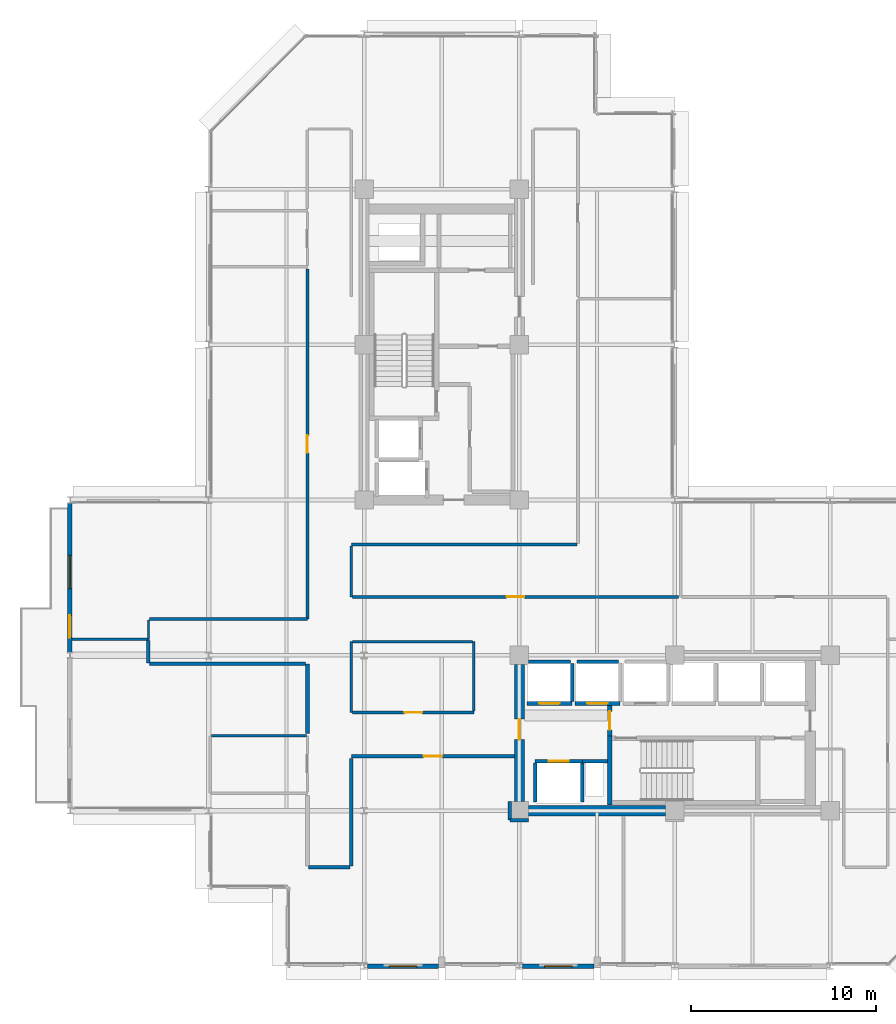
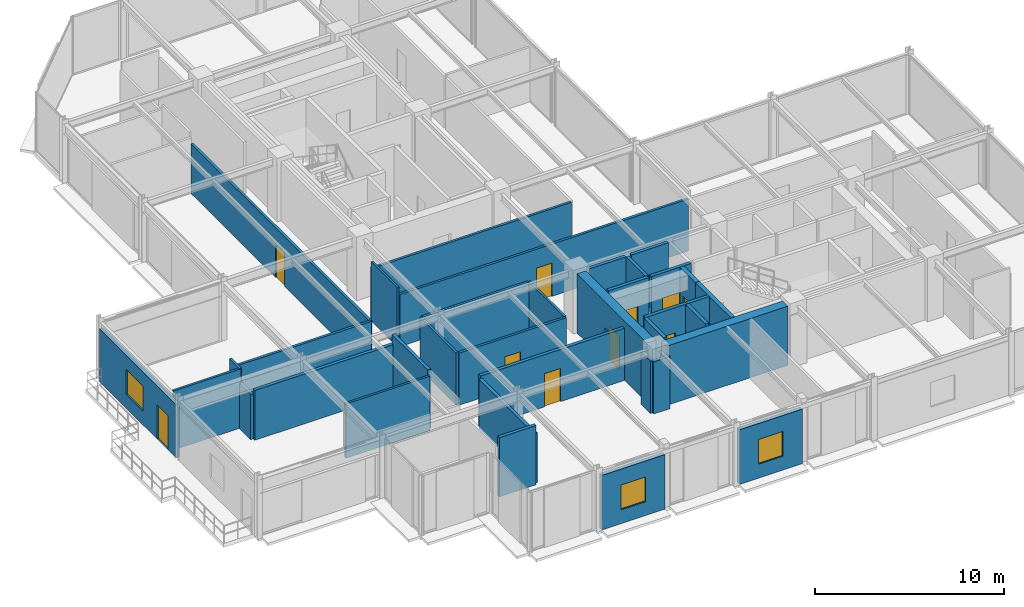
# One storey, part 24 of 29: 36 walls, 10 doors, 3 windows, 13 openings.
"""IFC4 building model written with IfcOpenShell, lengths in metres."""

from ifc_helpers import new_model, si_unit, direction, frame, frame_2d, origin, place, context, subcontext, project, spatial, rectangle, extrude, material, layer, layer_set, type_object, element, fill, save


model = new_model("IFC4")

# Units and contexts
model_context = context("Model", 3, precision=1e-05, world=origin(), true_north=direction((0.0, 1.0)))
body_context = subcontext(model_context, "Body", "Model", "MODEL_VIEW")
ifc_project = project(units=[si_unit("LENGTHUNIT", "METRE"), si_unit("AREAUNIT", "SQUARE_METRE"), si_unit("VOLUMEUNIT", "CUBIC_METRE"), si_unit("PLANEANGLEUNIT", "RADIAN"), si_unit("MASSUNIT", "GRAM", prefix="KILO")], contexts=[model_context])

# Site, building, storey
site_placement = place(None, origin())
site = spatial("IfcSite", under=ifc_project, at=site_placement, CompositionType="ELEMENT")
building_placement = place(site_placement, origin())
building = spatial("IfcBuilding", under=site, at=building_placement, Name="Nerrivon Quay Data Exchange", CompositionType="ELEMENT")
storey_placement = place(building_placement, frame((0.0, 0.0, 204.199951171875)))
storey = spatial("IfcBuildingStorey", under=building, at=storey_placement, Name="L48", CompositionType="ELEMENT", Elevation=204.199951171875)

# Wall, openings, door, window
ifc_material_1 = material(Name="Architectural terracotta precast concrete N50 (50 MPa)", Category="masonry")
ifc_layer_1 = layer(ifc_material_1, 0.239990234375)
ifc_layer_set_1 = layer_set([ifc_layer_1], Name="Architectural terracotta precast concrete N50 (50 MPa)")
wall_type_1 = type_object("IfcWallType", Name="EW-PREC-240", PredefinedType="STANDARD", material=ifc_layer_set_1)
wall_1_placement = place(storey_placement, frame((-7.5, 16.96337890625, 0.0), z_axis=(0.0, 0.0, 1.0), x_axis=(0.0, 1.0, 0.0)))
wall_1 = element("IfcWall", 1, at=wall_1_placement, inside=storey, type_object=wall_type_1, Name="L48 Terrace Host Wall 2", PredefinedType="STANDARD", context=body_context, shape_type="SweptSolid", body=[
    extrude(rectangle(XDim=8.0732421875, YDim=0.239990234375, at=frame_2d((4.03662109375, 0.0))), origin(), (0.0, 0.0, 1.0), 3.422119140625),
])
opening_1_placement = place(wall_1_placement, frame((0.800048828125, 0.0, 0.0)))
opening_1 = element("IfcOpeningElement", 2, at=opening_1_placement, cuts=wall_1, Name="Opening TD1", PredefinedType="OPENING", context=body_context, shape_type="SweptSolid", body=[
    extrude(rectangle(XDim=1.199951171875, YDim=2.199951171875, at=frame_2d((0.60009765625, 1.10009765625))), frame((0.0, 0.1298828125, 0.0), z_axis=(0.0, -1.0, 0.0), x_axis=(1.0, 0.0, 0.0)), (0.0, 0.0, 1.0), 0.260009765625),
])
opening_2_placement = place(wall_1_placement, frame((3.44482421875, 0.0, 0.89990234375)))
opening_2 = element("IfcOpeningElement", 3, at=opening_2_placement, cuts=wall_1, Name="Opening WN2", PredefinedType="OPENING", context=body_context, shape_type="SweptSolid", body=[
    extrude(rectangle(XDim=1.800048828125, YDim=1.60009765625, at=frame_2d((0.89990234375, 0.800048828125))), frame((0.0, 0.1298828125, 0.0), z_axis=(0.0, -1.0, 0.0), x_axis=(1.0, 0.0, 0.0)), (0.0, 0.0, 1.0), 0.260009765625),
])
ifc_material_2 = material(Name="Double-glazed low-E solar control glass", Category="glass")
door_type_1 = type_object("IfcDoorType", Name="DR-TERR-1200x2200", OperationType="NOTDEFINED", PredefinedType="DOOR", material=ifc_material_2)
door_1_placement = place(opening_1_placement, origin())
door_1 = element("IfcDoor", 4, at=door_1_placement, inside=storey, type_object=door_type_1, Name="L48 Outdoor Terrace Access Door 2", OperationType="SINGLE_SWING_LEFT", OverallHeight=2.199951171875, OverallWidth=1.199951171875, PredefinedType="DOOR", context=body_context, shape_type="SweptSolid", body=[
    extrude(rectangle(XDim=1.199951171875, YDim=2.199951171875, at=frame_2d((0.60009765625, 1.10009765625))), frame((0.0, 0.02490234375, 0.0), z_axis=(0.0, -1.0, 0.0), x_axis=(1.0, 0.0, 0.0)), (0.0, 0.0, 1.0), 0.050048828125),
])
fill(opening_1, door_1)
window_type_1 = type_object("IfcWindowType", Name="WIN-W2-1800x1600", PartitioningType="SINGLE_PANEL", PredefinedType="WINDOW", material=ifc_material_2)
window_1_placement = place(opening_2_placement, origin())
window_1 = element("IfcWindow", 5, at=window_1_placement, inside=storey, type_object=window_type_1, Name="L48 Terrace Side Window 2", OverallHeight=1.60009765625, OverallWidth=1.800048828125, PartitioningType="SINGLE_PANEL", PredefinedType="WINDOW", context=body_context, shape_type="SweptSolid", body=[
    extrude(rectangle(XDim=1.800048828125, YDim=1.60009765625, at=frame_2d((0.89990234375, 0.800048828125))), frame((0.0, 0.030029296875, 0.0), z_axis=(0.0, -1.0, 0.0), x_axis=(1.0, 0.0, 0.0)), (0.0, 0.0, 1.0), 0.06005859375),
])
fill(opening_2, window_1)

# Wall, opening, window
wall_2_placement = place(storey_placement, frame((20.824951171875, 0.0, 0.0), z_axis=(0.0, 0.0, 1.0), x_axis=(-1.0, 0.0, 0.0)))
wall_2 = element("IfcWall", 6, at=wall_2_placement, inside=storey, type_object=wall_type_1, Name="L48 Podium Precast Spandrel Wall 25", PredefinedType="STANDARD", context=body_context, shape_type="SweptSolid", body=[
    extrude(rectangle(XDim=3.849853515625, YDim=0.239990234375, at=frame_2d((1.9248046875, 0.0))), origin(), (0.0, 0.0, 1.0), 3.525146484375),
])
opening_3_placement = place(wall_2_placement, frame((1.175048828125, 0.0, 0.89990234375)))
opening_3 = element("IfcOpeningElement", 7, at=opening_3_placement, cuts=wall_2, Name="Opening WN4", PredefinedType="OPENING", context=body_context, shape_type="SweptSolid", body=[
    extrude(rectangle(XDim=1.5, YDim=1.60009765625, at=frame_2d((0.75, 0.800048828125))), frame((0.0, 0.1298828125, 0.0), z_axis=(0.0, -1.0, 0.0), x_axis=(1.0, 0.0, 0.0)), (0.0, 0.0, 1.0), 0.260009765625),
])
window_type_2 = type_object("IfcWindowType", Name="WIN-W4-1500x1600", PartitioningType="SINGLE_PANEL", PredefinedType="WINDOW", material=ifc_material_2)
window_2_placement = place(opening_3_placement, origin())
window_2 = element("IfcWindow", 8, at=window_2_placement, inside=storey, type_object=window_type_2, Name="L48 Solar Facade Window 25", OverallHeight=1.60009765625, OverallWidth=1.5, PartitioningType="SINGLE_PANEL", PredefinedType="WINDOW", context=body_context, shape_type="SweptSolid", body=[
    extrude(rectangle(XDim=1.5, YDim=1.60009765625, at=frame_2d((0.75, 0.800048828125))), frame((0.0, 0.030029296875, 0.0), z_axis=(0.0, -1.0, 0.0), x_axis=(1.0, 0.0, 0.0)), (0.0, 0.0, 1.0), 0.06005859375),
])
fill(opening_3, window_2)

wall_3_placement = place(storey_placement, frame((12.425048828125, 0.0, 0.0), z_axis=(0.0, 0.0, 1.0), x_axis=(-1.0, 0.0, 0.0)))
wall_3 = element("IfcWall", 9, at=wall_3_placement, inside=storey, type_object=wall_type_1, Name="L48 Podium Precast Spandrel Wall 27", PredefinedType="STANDARD", context=body_context, shape_type="SweptSolid", body=[
    extrude(rectangle(XDim=3.85009765625, YDim=0.239990234375, at=frame_2d((1.925048828125, 0.0))), origin(), (0.0, 0.0, 1.0), 3.525146484375),
])
opening_4_placement = place(wall_3_placement, frame((1.175048828125, 0.0, 0.89990234375)))
opening_4 = element("IfcOpeningElement", 10, at=opening_4_placement, cuts=wall_3, Name="Opening WN4", PredefinedType="OPENING", context=body_context, shape_type="SweptSolid", body=[
    extrude(rectangle(XDim=1.5, YDim=1.60009765625, at=frame_2d((0.75, 0.800048828125))), frame((0.0, 0.1298828125, 0.0), z_axis=(0.0, -1.0, 0.0), x_axis=(1.0, 0.0, 0.0)), (0.0, 0.0, 1.0), 0.260009765625),
])
window_3_placement = place(opening_4_placement, origin())
window_3 = element("IfcWindow", 11, at=window_3_placement, inside=storey, type_object=window_type_2, Name="L48 Solar Facade Window 27", OverallHeight=1.60009765625, OverallWidth=1.5, PartitioningType="SINGLE_PANEL", PredefinedType="WINDOW", context=body_context, shape_type="SweptSolid", body=[
    extrude(rectangle(XDim=1.5, YDim=1.60009765625, at=frame_2d((0.75, 0.800048828125))), frame((0.0, 0.030029296875, 0.0), z_axis=(0.0, -1.0, 0.0), x_axis=(1.0, 0.0, 0.0)), (0.0, 0.0, 1.0), 0.06005859375),
])
fill(opening_4, window_3)

# Wall
ifc_material_3 = material(Name="Concrete S65 (65 MPa)", Category="concrete")
ifc_layer_2 = layer(ifc_material_3, 0.550048828125)
ifc_layer_set_2 = layer_set([ifc_layer_2], Name="Concrete S65 (65 MPa)")
wall_type_2 = type_object("IfcWallType", Name="WALL-CW-700", PredefinedType="SHEAR", material=ifc_layer_set_2)
wall_4_placement = place(storey_placement, frame((17.300048828125, 8.39990234375, 0.0), z_axis=(0.0, 0.0, 1.0), x_axis=(1.0, 0.0, 0.0)))
element("IfcWall", 12, at=wall_4_placement, inside=storey, type_object=wall_type_2, Name="L48 East Split-Core Shear Wall ECW-S1", PredefinedType="SHEAR", context=body_context, shape_type="SweptSolid", body=[
    extrude(rectangle(XDim=7.39990234375, YDim=0.550048828125, at=frame_2d((3.699951171875, 0.0))), origin(), (0.0, 0.0, 1.0), 3.824951171875),
])

# Wall, opening, door
wall_5_placement = place(storey_placement, frame((16.800048828125, 8.89990234375, 0.0), z_axis=(0.0, 0.0, 1.0), x_axis=(0.0, 1.0, 0.0)))
wall_5 = element("IfcWall", 13, at=wall_5_placement, inside=storey, type_object=wall_type_2, Name="L48 East Split-Core Shear Wall ECW-W1", PredefinedType="SHEAR", context=body_context, shape_type="SweptSolid", body=[
    extrude(rectangle(XDim=7.400146484375, YDim=0.550048828125, at=frame_2d((3.7001953125, 0.0))), origin(), (0.0, 0.0, 1.0), 3.824951171875),
])
opening_5_placement = place(wall_5_placement, frame((3.35009765625, 0.0, 0.0)))
opening_5 = element("IfcOpeningElement", 14, at=opening_5_placement, cuts=wall_5, Name="Opening FD-120", PredefinedType="OPENING", context=body_context, shape_type="SweptSolid", body=[
    extrude(rectangle(XDim=1.10009765625, YDim=2.14990234375, at=frame_2d((0.550048828125, 1.074951171875))), frame((0.0, 0.284912109375, 0.0), z_axis=(0.0, -1.0, 0.0), x_axis=(1.0, 0.0, 0.0)), (0.0, 0.0, 1.0), 0.570068359375),
])
ifc_material_4 = material(Name="Powder-coated galvanized steel sheet", Category="steel")
door_type_2 = type_object("IfcDoorType", Name="DR-FD120-1100", OperationType="NOTDEFINED", PredefinedType="DOOR", material=ifc_material_4)
door_2_placement = place(opening_5_placement, origin())
door_2 = element("IfcDoor", 15, at=door_2_placement, inside=storey, type_object=door_type_2, Name="L48 East Core Lobby Fire Door", OperationType="SINGLE_SWING_RIGHT", OverallHeight=2.14990234375, OverallWidth=1.10009765625, PredefinedType="DOOR", context=body_context, shape_type="SweptSolid", body=[
    extrude(rectangle(XDim=1.10009765625, YDim=2.14990234375, at=frame_2d((0.550048828125, 1.074951171875))), frame((0.0, 0.02490234375, 0.0), z_axis=(0.0, -1.0, 0.0), x_axis=(1.0, 0.0, 0.0)), (0.0, 0.0, 1.0), 0.050048828125),
])
fill(opening_5, door_2)

# Wall
ifc_material_5 = material(Name="Gypsum plasterboard on cold-formed framing", Category="gypsum")
ifc_layer_3 = layer(ifc_material_5, 0.199951171875)
ifc_layer_set_3 = layer_set([ifc_layer_3], Name="Gypsum plasterboard on cold-formed framing")
wall_type_3 = type_object("IfcWallType", Name="WALL-FW-200", PredefinedType="PARTITIONING", material=ifc_layer_set_3)
wall_6_placement = place(storey_placement, frame((20.199951171875, 11.080078125, 0.0), z_axis=(0.0, 0.0, 1.0), x_axis=(1.0, 0.0, 0.0)))
element("IfcWall", 16, at=wall_6_placement, inside=storey, type_object=wall_type_3, Name="L48 East Core MEP Riser Shaft Wall N", PredefinedType="PARTITIONING", context=body_context, shape_type="SweptSolid", body=[
    extrude(rectangle(XDim=1.35009765625, YDim=0.199951171875, at=frame_2d((0.675048828125, 0.0))), origin(), (0.0, 0.0, 1.0), 3.824951171875),
])

# Wall, opening, door
wall_7_placement = place(storey_placement, frame((17.64990234375, 11.080078125, 0.0), z_axis=(0.0, 0.0, 1.0), x_axis=(1.0, 0.0, 0.0)))
wall_7 = element("IfcWall", 17, at=wall_7_placement, inside=storey, type_object=wall_type_3, Name="L48 Lift Front Wall FFL-2", PredefinedType="PARTITIONING", context=body_context, shape_type="SweptSolid", body=[
    extrude(rectangle(XDim=2.550048828125, YDim=0.199951171875, at=frame_2d((1.27490234375, 0.0))), origin(), (0.0, 0.0, 1.0), 3.824951171875),
])
opening_6_placement = place(wall_7_placement, frame((0.72509765625, 0.0, 0.0)))
opening_6 = element("IfcOpeningElement", 18, at=opening_6_placement, cuts=wall_7, Name="Opening LD-120", PredefinedType="OPENING", context=body_context, shape_type="SweptSolid", body=[
    extrude(rectangle(XDim=1.10009765625, YDim=2.199951171875, at=frame_2d((0.550048828125, 1.10009765625))), frame((0.0, 0.10986328125, 0.0), z_axis=(0.0, -1.0, 0.0), x_axis=(1.0, 0.0, 0.0)), (0.0, 0.0, 1.0), 0.219970703125),
])
door_type_3 = type_object("IfcDoorType", Name="DR-LIFT-LD120", OperationType="DOUBLE_DOOR_SLIDING", PredefinedType="DOOR", material=ifc_material_4)
door_3_placement = place(opening_6_placement, origin())
door_3 = element("IfcDoor", 19, at=door_3_placement, inside=storey, type_object=door_type_3, Name="L48 Lift Landing Sliding Door FFL-2", OperationType="DOUBLE_DOOR_SLIDING", OverallHeight=2.199951171875, OverallWidth=1.10009765625, PredefinedType="DOOR", context=body_context, shape_type="SweptSolid", body=[
    extrude(rectangle(XDim=1.10009765625, YDim=2.199951171875, at=frame_2d((0.550048828125, 1.10009765625))), frame((0.0, 0.02490234375, 0.0), z_axis=(0.0, -1.0, 0.0), x_axis=(1.0, 0.0, 0.0)), (0.0, 0.0, 1.0), 0.050048828125),
])
fill(opening_6, door_3)

# Walls
for number, where, z_axis, x_axis, name in (
    (20, (20.199951171875, 8.8798828125, 0.0), (0.0, 0.0, 1.0), (0.0, 1.0, 0.0), "L48 Lift Shaft Wall FFL-2 EAST"),
    (21, (17.64990234375, 8.8798828125, 0.0), (0.0, 0.0, 1.0), (0.0, 1.0, 0.0), "L48 Lift Shaft Wall FFL-2 WEST"),
):
    element("IfcWall", number, at=place(storey_placement, frame(where, z_axis=z_axis, x_axis=x_axis)), inside=storey, type_object=wall_type_3, Name=name, PredefinedType="PARTITIONING", context=body_context, shape_type="SweptSolid", body=[
        extrude(rectangle(XDim=2.10009765625, YDim=0.199951171875, at=frame_2d((1.050048828125, 0.0))), origin(), (0.0, 0.0, 1.0), 3.824951171875),
    ])

# Wall, opening, door
wall_8_placement = place(storey_placement, frame((17.199951171875, 14.199951171875, 0.0), z_axis=(0.0, 0.0, 1.0), x_axis=(1.0, 0.0, 0.0)))
wall_8 = element("IfcWall", 22, at=wall_8_placement, inside=storey, type_object=wall_type_3, Name="L48 Lift Front Wall PL4", PredefinedType="PARTITIONING", context=body_context, shape_type="SweptSolid", body=[
    extrude(rectangle(XDim=2.449951171875, YDim=0.199951171875, at=frame_2d((1.22509765625, 0.0))), origin(), (0.0, 0.0, 1.0), 3.824951171875),
])
opening_7_placement = place(wall_8_placement, frame((0.675048828125, 0.0, 0.0)))
opening_7 = element("IfcOpeningElement", 23, at=opening_7_placement, cuts=wall_8, Name="Opening LD-120", PredefinedType="OPENING", context=body_context, shape_type="SweptSolid", body=[
    extrude(rectangle(XDim=1.10009765625, YDim=2.199951171875, at=frame_2d((0.550048828125, 1.10009765625))), frame((0.0, 0.10986328125, 0.0), z_axis=(0.0, -1.0, 0.0), x_axis=(1.0, 0.0, 0.0)), (0.0, 0.0, 1.0), 0.219970703125),
])
door_4_placement = place(opening_7_placement, origin())
door_4 = element("IfcDoor", 24, at=door_4_placement, inside=storey, type_object=door_type_3, Name="L48 Lift Landing Sliding Door PL4", OperationType="DOUBLE_DOOR_SLIDING", OverallHeight=2.199951171875, OverallWidth=1.10009765625, PredefinedType="DOOR", context=body_context, shape_type="SweptSolid", body=[
    extrude(rectangle(XDim=1.10009765625, YDim=2.199951171875, at=frame_2d((0.550048828125, 1.10009765625))), frame((0.0, 0.02490234375, 0.0), z_axis=(0.0, -1.0, 0.0), x_axis=(1.0, 0.0, 0.0)), (0.0, 0.0, 1.0), 0.050048828125),
])
fill(opening_7, door_4)

# Walls
wall_9_placement = place(storey_placement, frame((19.64990234375, 14.300048828125, 0.0), z_axis=(0.0, 0.0, 1.0), x_axis=(0.0, 1.0, 0.0)))
element("IfcWall", 25, at=wall_9_placement, inside=storey, type_object=wall_type_3, Name="L48 Lift Shaft Wall PL4 EAST", PredefinedType="PARTITIONING", context=body_context, shape_type="SweptSolid", body=[
    extrude(rectangle(XDim=2.050048828125, YDim=0.199951171875, at=frame_2d((1.02490234375, 0.0))), origin(), (0.0, 0.0, 1.0), 3.824951171875),
])
wall_10_placement = place(storey_placement, frame((17.300048828125, 16.449951171875, 0.0), z_axis=(0.0, 0.0, 1.0), x_axis=(1.0, 0.0, 0.0)))
element("IfcWall", 26, at=wall_10_placement, inside=storey, type_object=wall_type_3, Name="L48 Lift Shaft Wall PL4 NORTH", PredefinedType="PARTITIONING", context=body_context, shape_type="SweptSolid", body=[
    extrude(rectangle(XDim=2.25, YDim=0.199951171875, at=frame_2d((1.125, 0.0))), origin(), (0.0, 0.0, 1.0), 3.824951171875),
])

# Wall, opening, door
wall_11_placement = place(storey_placement, frame((19.800048828125, 14.199951171875, 0.0), z_axis=(0.0, 0.0, 1.0), x_axis=(1.0, 0.0, 0.0)))
wall_11 = element("IfcWall", 27, at=wall_11_placement, inside=storey, type_object=wall_type_3, Name="L48 Lift Front Wall PL5", PredefinedType="PARTITIONING", context=body_context, shape_type="SweptSolid", body=[
    extrude(rectangle(XDim=2.449951171875, YDim=0.199951171875, at=frame_2d((1.22509765625, 0.0))), origin(), (0.0, 0.0, 1.0), 3.824951171875),
])
opening_8_placement = place(wall_11_placement, frame((0.675048828125, 0.0, 0.0)))
opening_8 = element("IfcOpeningElement", 28, at=opening_8_placement, cuts=wall_11, Name="Opening LD-120", PredefinedType="OPENING", context=body_context, shape_type="SweptSolid", body=[
    extrude(rectangle(XDim=1.10009765625, YDim=2.199951171875, at=frame_2d((0.550048828125, 1.10009765625))), frame((0.0, 0.10986328125, 0.0), z_axis=(0.0, -1.0, 0.0), x_axis=(1.0, 0.0, 0.0)), (0.0, 0.0, 1.0), 0.219970703125),
])
door_5_placement = place(opening_8_placement, origin())
door_5 = element("IfcDoor", 29, at=door_5_placement, inside=storey, type_object=door_type_3, Name="L48 Lift Landing Sliding Door PL5", OperationType="DOUBLE_DOOR_SLIDING", OverallHeight=2.199951171875, OverallWidth=1.10009765625, PredefinedType="DOOR", context=body_context, shape_type="SweptSolid", body=[
    extrude(rectangle(XDim=1.10009765625, YDim=2.199951171875, at=frame_2d((0.550048828125, 1.10009765625))), frame((0.0, 0.02490234375, 0.0), z_axis=(0.0, -1.0, 0.0), x_axis=(1.0, 0.0, 0.0)), (0.0, 0.0, 1.0), 0.050048828125),
])
fill(opening_8, door_5)

# Walls
wall_12_placement = place(storey_placement, frame((19.89990234375, 16.449951171875, 0.0), z_axis=(0.0, 0.0, 1.0), x_axis=(1.0, 0.0, 0.0)))
element("IfcWall", 30, at=wall_12_placement, inside=storey, type_object=wall_type_3, Name="L48 Lift Shaft Wall PL5 NORTH", PredefinedType="PARTITIONING", context=body_context, shape_type="SweptSolid", body=[
    extrude(rectangle(XDim=2.25, YDim=0.199951171875, at=frame_2d((1.125, 0.0))), origin(), (0.0, 0.0, 1.0), 3.824951171875),
])
wall_13_placement = place(storey_placement, frame((-3.260009765625, 16.39990234375, 0.0), z_axis=(0.0, 0.0, 1.0), x_axis=(0.0, 1.0, 0.0)))
element("IfcWall", 31, at=wall_13_placement, inside=storey, type_object=wall_type_3, Name="L48 Partition Colocation Data Workspace 1", PredefinedType="PARTITIONING", context=body_context, shape_type="SweptSolid", body=[
    extrude(rectangle(XDim=1.198486328125, YDim=0.199951171875, at=frame_2d((0.59912109375, 0.0))), origin(), (0.0, 0.0, 1.0), 2.9150390625),
])
wall_14_placement = place(storey_placement, frame((17.303955078125, 7.88037109375, 0.0), z_axis=(0.0, 0.0, 1.0), x_axis=(-0.999999881717, -0.000486381265, 0.0)))
element("IfcWall", 32, at=wall_14_placement, inside=storey, type_object=wall_type_3, Name="L48 Partition Colocation Data Workspace 1", PredefinedType="PARTITIONING", context=body_context, shape_type="SweptSolid", body=[
    extrude(rectangle(XDim=1.00390625, YDim=0.199951171875, at=frame_2d((0.501953125, 0.0))), origin(), (0.0, 0.0, 1.0), 3.37109375),
])
wall_15_placement = place(storey_placement, frame((16.280029296875, 7.89990234375, 0.0), z_axis=(0.0, 0.0, 1.0), x_axis=(0.000486381265, 0.999999881717, 0.0)))
element("IfcWall", 33, at=wall_15_placement, inside=storey, type_object=wall_type_3, Name="L48 Partition Colocation Data Workspace 1", PredefinedType="PARTITIONING", context=body_context, shape_type="SweptSolid", body=[
    extrude(rectangle(XDim=1.00390625, YDim=0.199951171875, at=frame_2d((0.501953125, 0.0))), origin(), (0.0, 0.0, 1.0), 3.364990234375),
])

# Wall, opening, door
wall_16_placement = place(storey_placement, frame((16.52099609375, 11.340087890625, 0.0), z_axis=(0.0, 0.0, 1.0), x_axis=(-1.0, 0.0, 0.0)))
wall_16 = element("IfcWall", 34, at=wall_16_placement, inside=storey, type_object=wall_type_3, Name="L48 Partition Colocation Data Workspace 1", PredefinedType="PARTITIONING", context=body_context, shape_type="SweptSolid", body=[
    extrude(rectangle(XDim=8.81103515625, YDim=0.199951171875, at=frame_2d((4.405517578125, 0.0))), origin(), (0.0, 0.0, 1.0), 3.37109375),
])
opening_9_placement = place(wall_16_placement, frame((3.905517578125, 0.0, 0.0)))
opening_9 = element("IfcOpeningElement", 35, at=opening_9_placement, cuts=wall_16, Name="Opening FD-60", PredefinedType="OPENING", context=body_context, shape_type="SweptSolid", body=[
    extrude(rectangle(XDim=1.0, YDim=2.14990234375, at=frame_2d((0.5, 1.074951171875))), frame((0.0, 0.10986328125, 0.0), z_axis=(0.0, -1.0, 0.0), x_axis=(1.0, 0.0, 0.0)), (0.0, 0.0, 1.0), 0.219970703125),
])
ifc_material_6 = material(Name="Engineered hardwood timber", Category="wood")
door_type_4 = type_object("IfcDoorType", Name="DR-FD60-1000", OperationType="NOTDEFINED", PredefinedType="DOOR", material=ifc_material_6)
door_6_placement = place(opening_9_placement, origin())
door_6 = element("IfcDoor", 36, at=door_6_placement, inside=storey, type_object=door_type_4, Name="L48 Door Colocation Data Workspace 1", OperationType="SINGLE_SWING_RIGHT", OverallHeight=2.14990234375, OverallWidth=1.0, PredefinedType="DOOR", context=body_context, shape_type="SweptSolid", body=[
    extrude(rectangle(XDim=1.0, YDim=2.14990234375, at=frame_2d((0.5, 1.074951171875))), frame((0.0, 0.02490234375, 0.0), z_axis=(0.0, -1.0, 0.0), x_axis=(1.0, 0.0, 0.0)), (0.0, 0.0, 1.0), 0.050048828125),
])
fill(opening_9, door_6)

# Walls
wall_17_placement = place(storey_placement, frame((7.7099609375, 11.236083984375, 0.0), z_axis=(0.0, 0.0, 1.0), x_axis=(0.0, -1.0, 0.0)))
element("IfcWall", 37, at=wall_17_placement, inside=storey, type_object=wall_type_3, Name="L48 Partition Colocation Data Workspace 1", PredefinedType="PARTITIONING", context=body_context, shape_type="SweptSolid", body=[
    extrude(rectangle(XDim=5.836181640625, YDim=0.199951171875, at=frame_2d((2.91796875, 0.0))), origin(), (0.0, 0.0, 1.0), 3.213134765625),
])
wall_18_placement = place(storey_placement, frame((7.64990234375, 5.340087890625, 0.0), z_axis=(0.0, 0.0, 1.0), x_axis=(-1.0, 0.0, 0.0)))
element("IfcWall", 38, at=wall_18_placement, inside=storey, type_object=wall_type_3, Name="L48 Partition Colocation Data Workspace 1", PredefinedType="PARTITIONING", context=body_context, shape_type="SweptSolid", body=[
    extrude(rectangle(XDim=2.25, YDim=0.199951171875, at=frame_2d((1.125, 0.0))), origin(), (0.0, 0.0, 1.0), 3.824951171875),
])
wall_19_placement = place(storey_placement, frame((5.340087890625, 12.570068359375, 0.0), z_axis=(0.0, 0.0, 1.0), x_axis=(0.0, 1.0, 0.0)))
element("IfcWall", 39, at=wall_19_placement, inside=storey, type_object=wall_type_3, Name="L48 Partition Colocation Data Workspace 1", PredefinedType="PARTITIONING", context=body_context, shape_type="SweptSolid", body=[
    extrude(rectangle(XDim=3.77001953125, YDim=0.199951171875, at=frame_2d((1.885009765625, 0.0))), origin(), (0.0, 0.0, 1.0), 3.824951171875),
])
wall_20_placement = place(storey_placement, frame((5.236083984375, 16.340087890625, 0.0), z_axis=(0.0, 0.0, 1.0), x_axis=(-1.0, 0.0, 0.0)))
element("IfcWall", 40, at=wall_20_placement, inside=storey, type_object=wall_type_3, Name="L48 Partition Colocation Data Workspace 1", PredefinedType="PARTITIONING", context=body_context, shape_type="SweptSolid", body=[
    extrude(rectangle(XDim=8.43603515625, YDim=0.199951171875, at=frame_2d((4.218017578125, 0.0))), origin(), (0.0, 0.0, 1.0), 3.22314453125),
])
ifc_layer_4 = layer(ifc_material_5, 0.1201171875)
ifc_layer_set_4 = layer_set([ifc_layer_4], Name="Gypsum plasterboard on cold-formed framing")
wall_type_4 = type_object("IfcWallType", Name="WALL-PT-120", PredefinedType="PARTITIONING", material=ifc_layer_set_4)
wall_21_placement = place(storey_placement, frame((7.7099609375, 22.7109375, 0.0), z_axis=(0.0, 0.0, 1.0), x_axis=(0.0, -1.0, 0.0)))
element("IfcWall", 41, at=wall_21_placement, inside=storey, type_object=wall_type_4, Name="L48 Partition Staff Tea Pantry", PredefinedType="PARTITIONING", context=body_context, shape_type="SweptSolid", body=[
    extrude(rectangle(XDim=2.7509765625, YDim=0.1201171875, at=frame_2d((1.37548828125, 0.0))), origin(), (0.0, 0.0, 1.0), 3.824951171875),
])
wall_22_placement = place(storey_placement, frame((-3.260009765625, 17.669921875, 0.0), z_axis=(0.0, 0.0, 1.0), x_axis=(0.000235682294, 0.999999972227, 0.0)))
element("IfcWall", 42, at=wall_22_placement, inside=storey, type_object=wall_type_4, Name="L48 Partition Network Security Control", PredefinedType="PARTITIONING", context=body_context, shape_type="SweptSolid", body=[
    extrude(rectangle(XDim=1.035888671875, YDim=0.1201171875, at=frame_2d((0.51806640625, 0.0))), origin(), (0.0, 0.0, 1.0), 3.824951171875),
])
ifc_layer_5 = layer(ifc_material_5, 0.135009765625)
ifc_layer_set_5 = layer_set([ifc_layer_5], Name="Gypsum plasterboard on cold-formed framing")
wall_type_5 = type_object("IfcWallType", Name="WALL-PT-135", PredefinedType="PARTITIONING", material=ifc_layer_set_5)
wall_23_placement = place(storey_placement, frame((5.27587890625, 12.449951171875, 0.0), z_axis=(0.0, 0.0, 1.0), x_axis=(-1.0, 0.0, 0.0)))
element("IfcWall", 43, at=wall_23_placement, inside=storey, type_object=wall_type_5, Name="L48 Partition Public Washrooms", PredefinedType="PARTITIONING", context=body_context, shape_type="SweptSolid", body=[
    extrude(rectangle(XDim=5.1318359375, YDim=0.135009765625, at=frame_2d((2.56591796875, 0.0))), origin(), (0.0, 0.0, 1.0), 3.51806640625),
])
wall_24_placement = place(storey_placement, frame((7.7099609375, 17.5400390625, 0.0), z_axis=(0.0, 0.0, 1.0), x_axis=(0.0, -1.0, 0.0)))
element("IfcWall", 44, at=wall_24_placement, inside=storey, type_object=wall_type_5, Name="L48 Partition Staff Pantry", PredefinedType="PARTITIONING", context=body_context, shape_type="SweptSolid", body=[
    extrude(rectangle(XDim=3.830078125, YDim=0.135009765625, at=frame_2d((1.9150390625, 0.0))), origin(), (0.0, 0.0, 1.0), 3.364990234375),
])
wall_25_placement = place(storey_placement, frame((14.340087890625, 13.7890625, 0.0), z_axis=(0.0, 0.0, 1.0), x_axis=(0.0, 1.0, 0.0)))
element("IfcWall", 45, at=wall_25_placement, inside=storey, type_object=wall_type_5, Name="L48 Partition Staff Pantry", PredefinedType="PARTITIONING", context=body_context, shape_type="SweptSolid", body=[
    extrude(rectangle(XDim=3.7509765625, YDim=0.135009765625, at=frame_2d((1.87548828125, 0.0))), origin(), (0.0, 0.0, 1.0), 3.364990234375),
])
wall_26_placement = place(storey_placement, frame((-7.3759765625, 17.669921875, 0.0), z_axis=(0.0, 0.0, 1.0), x_axis=(1.0, 0.0, 0.0)))
element("IfcWall", 46, at=wall_26_placement, inside=storey, type_object=wall_type_5, Name="L48 Partition Network Security Control", PredefinedType="PARTITIONING", context=body_context, shape_type="SweptSolid", body=[
    extrude(rectangle(XDim=4.115966796875, YDim=0.135009765625, at=frame_2d((2.05810546875, 0.0))), origin(), (0.0, 0.0, 1.0), 3.824951171875),
])

# Wall, opening, door
ifc_layer_6 = layer(ifc_material_5, 0.14990234375)
ifc_layer_set_6 = layer_set([ifc_layer_6], Name="Gypsum plasterboard on cold-formed framing")
wall_type_6 = type_object("IfcWallType", Name="WALL-PT-150", PredefinedType="PARTITIONING", material=ifc_layer_set_6)
wall_27_placement = place(storey_placement, frame((7.781494140625, 13.7099609375, 0.0), z_axis=(0.0, 0.0, 1.0), x_axis=(1.0, 0.0, 0.0)))
wall_27 = element("IfcWall", 47, at=wall_27_placement, inside=storey, type_object=wall_type_6, Name="L48 Partition Staff Pantry", PredefinedType="PARTITIONING", context=body_context, shape_type="SweptSolid", body=[
    extrude(rectangle(XDim=6.55859375, YDim=0.14990234375, at=frame_2d((3.279296875, 0.0))), origin(), (0.0, 0.0, 1.0), 3.37109375),
])
opening_10_placement = place(wall_27_placement, frame((2.80419921875, 0.0, 0.0)))
opening_10 = element("IfcOpeningElement", 48, at=opening_10_placement, cuts=wall_27, Name="Opening D-01", PredefinedType="OPENING", context=body_context, shape_type="SweptSolid", body=[
    extrude(rectangle(XDim=0.949951171875, YDim=2.14990234375, at=frame_2d((0.47509765625, 1.074951171875))), frame((0.0, 0.0849609375, 0.0), z_axis=(0.0, -1.0, 0.0), x_axis=(1.0, 0.0, 0.0)), (0.0, 0.0, 1.0), 0.169921875),
])
door_type_5 = type_object("IfcDoorType", Name="DR-INT-950", OperationType="NOTDEFINED", PredefinedType="DOOR", material=ifc_material_6)
door_7_placement = place(opening_10_placement, origin())
door_7 = element("IfcDoor", 49, at=door_7_placement, inside=storey, type_object=door_type_5, Name="L48 Door Staff Pantry", OperationType="SINGLE_SWING_RIGHT", OverallHeight=2.14990234375, OverallWidth=0.949951171875, PredefinedType="DOOR", context=body_context, shape_type="SweptSolid", body=[
    extrude(rectangle(XDim=0.949951171875, YDim=2.14990234375, at=frame_2d((0.47509765625, 1.074951171875))), frame((0.0, 0.02490234375, 0.0), z_axis=(0.0, -1.0, 0.0), x_axis=(1.0, 0.0, 0.0)), (0.0, 0.0, 1.0), 0.050048828125),
])
fill(opening_10, door_7)

# Walls
wall_28_placement = place(storey_placement, frame((14.2685546875, 17.5400390625, 0.0), z_axis=(0.0, 0.0, 1.0), x_axis=(-1.0, 0.0, 0.0)))
element("IfcWall", 50, at=wall_28_placement, inside=storey, type_object=wall_type_6, Name="L48 Partition Staff Pantry", PredefinedType="PARTITIONING", context=body_context, shape_type="SweptSolid", body=[
    extrude(rectangle(XDim=6.487060546875, YDim=0.14990234375, at=frame_2d((3.24365234375, 0.0))), origin(), (0.0, 0.0, 1.0), 3.37109375),
])
wall_29_placement = place(storey_placement, frame((19.89990234375, 22.7900390625, 0.0), z_axis=(0.0, 0.0, 1.0), x_axis=(-1.0, 0.0, 0.0)))
element("IfcWall", 51, at=wall_29_placement, inside=storey, type_object=wall_type_6, Name="L48 Partition Staff Tea Pantry", PredefinedType="PARTITIONING", context=body_context, shape_type="SweptSolid", body=[
    extrude(rectangle(XDim=12.18994140625, YDim=0.14990234375, at=frame_2d((6.094970703125, 0.0))), origin(), (0.0, 0.0, 1.0), 3.37109375),
])

# Wall, opening, door
wall_30_placement = place(storey_placement, frame((7.77392578125, 19.9599609375, 0.0), z_axis=(0.0, 0.0, 1.0), x_axis=(1.0, 0.0, 0.0)))
wall_30 = element("IfcWall", 52, at=wall_30_placement, inside=storey, type_object=wall_type_6, Name="L48 Partition Staff Tea Pantry", PredefinedType="PARTITIONING", context=body_context, shape_type="SweptSolid", body=[
    extrude(rectangle(XDim=17.627685546875, YDim=0.14990234375, at=frame_2d((8.81396484375, 0.0))), origin(), (0.0, 0.0, 1.0), 3.37109375),
])
opening_11_placement = place(wall_30_placement, frame((8.3388671875, 0.0, 0.0)))
opening_11 = element("IfcOpeningElement", 53, at=opening_11_placement, cuts=wall_30, Name="Opening D-01", PredefinedType="OPENING", context=body_context, shape_type="SweptSolid", body=[
    extrude(rectangle(XDim=0.949951171875, YDim=2.14990234375, at=frame_2d((0.47509765625, 1.074951171875))), frame((0.0, 0.0849609375, 0.0), z_axis=(0.0, -1.0, 0.0), x_axis=(1.0, 0.0, 0.0)), (0.0, 0.0, 1.0), 0.169921875),
])
door_8_placement = place(opening_11_placement, origin())
door_8 = element("IfcDoor", 54, at=door_8_placement, inside=storey, type_object=door_type_5, Name="L48 Door Staff Tea Pantry", OperationType="SINGLE_SWING_RIGHT", OverallHeight=2.14990234375, OverallWidth=0.949951171875, PredefinedType="DOOR", context=body_context, shape_type="SweptSolid", body=[
    extrude(rectangle(XDim=0.949951171875, YDim=2.14990234375, at=frame_2d((0.47509765625, 1.074951171875))), frame((0.0, 0.02490234375, 0.0), z_axis=(0.0, -1.0, 0.0), x_axis=(1.0, 0.0, 0.0)), (0.0, 0.0, 1.0), 0.050048828125),
])
fill(opening_11, door_8)

# Wall
wall_31_placement = place(storey_placement, frame((-3.205810546875, 18.759765625, 0.0), z_axis=(0.0, 0.0, 1.0), x_axis=(0.999999999592, 2.8568164e-05, 0.0)))
element("IfcWall", 55, at=wall_31_placement, inside=storey, type_object=wall_type_6, Name="L48 Partition Network Security Control", PredefinedType="PARTITIONING", context=body_context, shape_type="SweptSolid", body=[
    extrude(rectangle(XDim=8.5458984375, YDim=0.14990234375, at=frame_2d((4.27294921875, 0.0))), origin(), (0.0, 0.0, 1.0), 3.22314453125),
])

# Wall, opening, door
wall_32_placement = place(storey_placement, frame((5.340087890625, 18.760009765625, 0.0), z_axis=(0.0, 0.0, 1.0), x_axis=(0.0, 1.0, 0.0)))
wall_32 = element("IfcWall", 56, at=wall_32_placement, inside=storey, type_object=wall_type_6, Name="L48 Partition Network Security Control", PredefinedType="PARTITIONING", context=body_context, shape_type="SweptSolid", body=[
    extrude(rectangle(XDim=18.919921875, YDim=0.14990234375, at=frame_2d((9.4599609375, 0.0))), origin(), (0.0, 0.0, 1.0), 3.213134765625),
])
opening_12_placement = place(wall_32_placement, frame((8.985107421875, 0.0, 0.0)))
opening_12 = element("IfcOpeningElement", 57, at=opening_12_placement, cuts=wall_32, Name="Opening D-01", PredefinedType="OPENING", context=body_context, shape_type="SweptSolid", body=[
    extrude(rectangle(XDim=0.949951171875, YDim=2.14990234375, at=frame_2d((0.47509765625, 1.074951171875))), frame((0.0, 0.0849609375, 0.0), z_axis=(0.0, -1.0, 0.0), x_axis=(1.0, 0.0, 0.0)), (0.0, 0.0, 1.0), 0.169921875),
])
door_9_placement = place(opening_12_placement, origin())
door_9 = element("IfcDoor", 58, at=door_9_placement, inside=storey, type_object=door_type_5, Name="L48 Door Network Security Control", OperationType="SINGLE_SWING_LEFT", OverallHeight=2.14990234375, OverallWidth=0.949951171875, PredefinedType="DOOR", context=body_context, shape_type="SweptSolid", body=[
    extrude(rectangle(XDim=0.949951171875, YDim=2.14990234375, at=frame_2d((0.47509765625, 1.074951171875))), frame((0.0, 0.02490234375, 0.0), z_axis=(0.0, -1.0, 0.0), x_axis=(1.0, 0.0, 0.0)), (0.0, 0.0, 1.0), 0.050048828125),
])
fill(opening_12, door_9)

# Wall
ifc_material_7 = material(Name="Concrete N50 (50 MPa)", Category="concrete")
ifc_layer_7 = layer(ifc_material_7, 0.25)
ifc_layer_set_7 = layer_set([ifc_layer_7], Name="Concrete N50 (50 MPa)")
wall_type_7 = type_object("IfcWallType", Name="WALL-SW-250", PredefinedType="SHEAR", material=ifc_layer_set_7)
wall_33_placement = place(storey_placement, frame((21.675048828125, 8.699951171875, 0.0), z_axis=(0.0, 0.0, 1.0), x_axis=(0.0, 1.0, 0.0)))
element("IfcWall", 59, at=wall_33_placement, inside=storey, type_object=wall_type_7, Name="L48 ST02 Structural Stair Core Wall NEAR", PredefinedType="SHEAR", context=body_context, shape_type="SweptSolid", body=[
    extrude(rectangle(XDim=3.75, YDim=0.25, at=frame_2d((1.875, 0.0))), origin(), (0.0, 0.0, 1.0), 3.824951171875),
])

# Wall, opening, door
wall_34_placement = place(storey_placement, frame((21.679931640625, 12.449951171875, 0.0), z_axis=(0.0, 0.0, 1.0), x_axis=(0.0, 1.0, 0.0)))
wall_34 = element("IfcWall", 60, at=wall_34_placement, inside=storey, type_object=wall_type_7, Name="L48 East Firefighting Lobby Wall", PredefinedType="SHEAR", context=body_context, shape_type="SweptSolid", body=[
    extrude(rectangle(XDim=1.650146484375, YDim=0.25, at=frame_2d((0.8251953125, 0.0))), origin(), (0.0, 0.0, 1.0), 3.824951171875),
])
opening_13_placement = place(wall_34_placement, frame((0.324951171875, 0.0, 0.0)))
opening_13 = element("IfcOpeningElement", 61, at=opening_13_placement, cuts=wall_34, Name="Opening FD-60", PredefinedType="OPENING", context=body_context, shape_type="SweptSolid", body=[
    extrude(rectangle(XDim=1.0, YDim=2.14990234375, at=frame_2d((0.5, 1.074951171875))), frame((0.0, 0.135009765625, 0.0), z_axis=(0.0, -1.0, 0.0), x_axis=(1.0, 0.0, 0.0)), (0.0, 0.0, 1.0), 0.27001953125),
])
door_10_placement = place(opening_13_placement, origin())
door_10 = element("IfcDoor", 62, at=door_10_placement, inside=storey, type_object=door_type_4, Name="L48 East Firefighting Lobby Fire Door", OperationType="SINGLE_SWING_RIGHT", OverallHeight=2.14990234375, OverallWidth=1.0, PredefinedType="DOOR", context=body_context, shape_type="SweptSolid", body=[
    extrude(rectangle(XDim=1.0, YDim=2.14990234375, at=frame_2d((0.5, 1.074951171875))), frame((0.0, 0.02490234375, 0.0), z_axis=(0.0, -1.0, 0.0), x_axis=(1.0, 0.0, 0.0)), (0.0, 0.0, 1.0), 0.050048828125),
])
fill(opening_13, door_10)

save(model, "model.ifc")
